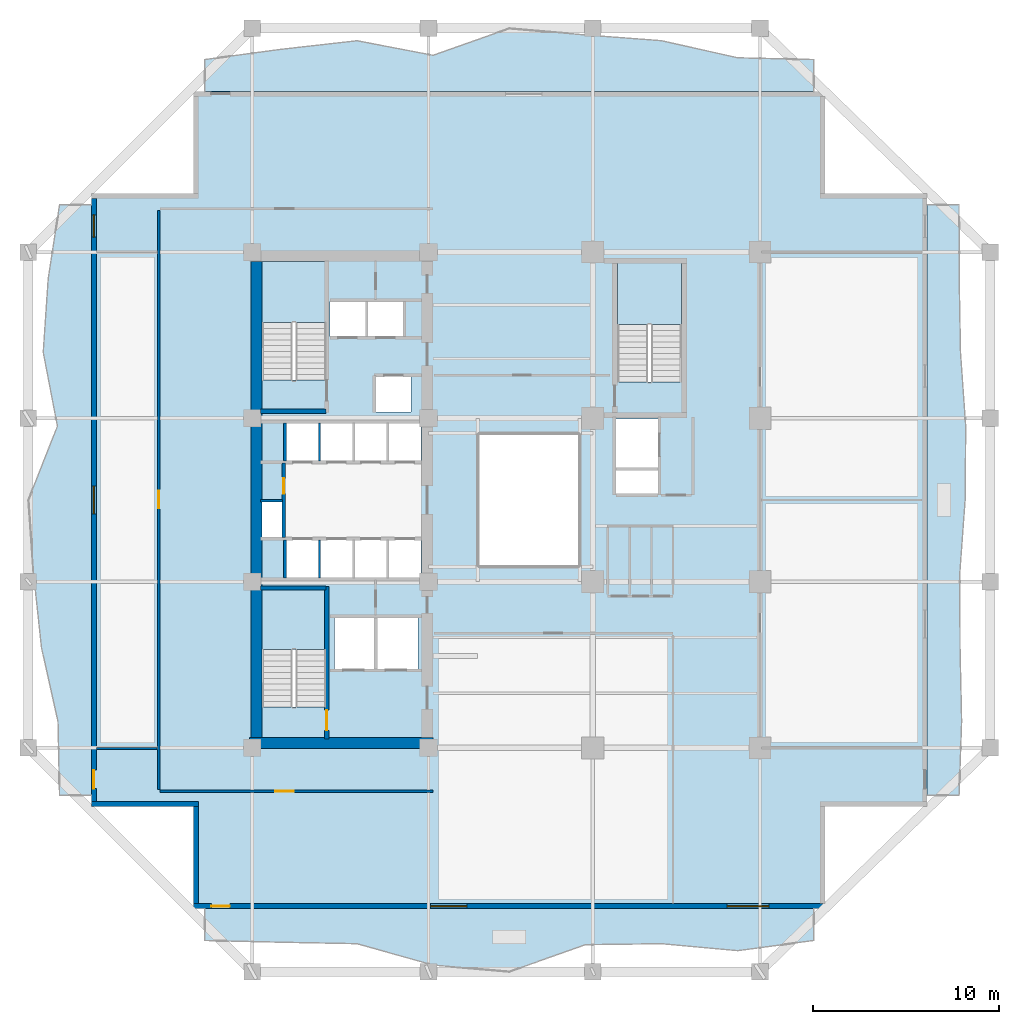
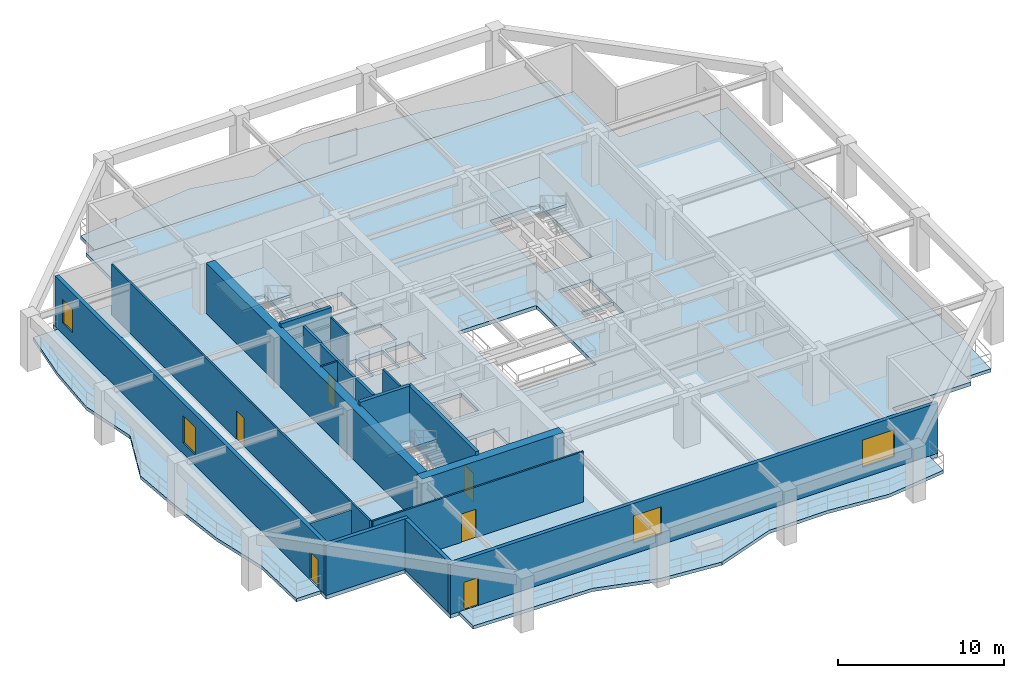
# One storey, part 2 of 13: 18 walls, 8 slabs, 6 doors, 4 windows, 10 openings, 3 elements without a shape of their own.
"""IFC4 building model written with IfcOpenShell, lengths in metres."""

from ifc_helpers import new_model, si_unit, direction, frame, frame_2d, origin, place, context, subcontext, project, spatial, polyline, rectangle, outline, extrude, material, layer, layer_set, type_object, element, fill, aggregate, save


model = new_model("IFC4")

# Units and contexts
model_context = context("Model", 3, precision=1e-05, world=origin(), true_north=direction((0.0, 1.0)))
body_context = subcontext(model_context, "Body", "Model", "MODEL_VIEW")
ifc_project = project(units=[si_unit("LENGTHUNIT", "METRE"), si_unit("AREAUNIT", "SQUARE_METRE"), si_unit("VOLUMEUNIT", "CUBIC_METRE"), si_unit("PLANEANGLEUNIT", "RADIAN"), si_unit("MASSUNIT", "GRAM", prefix="KILO")], contexts=[model_context])

# Site, building, storey
site_placement = place(None, origin())
site = spatial("IfcSite", under=ifc_project, at=site_placement, CompositionType="ELEMENT")
building_placement = place(site_placement, origin())
building = spatial("IfcBuilding", under=site, at=building_placement, Name="Kundavana Baori Tower", CompositionType="ELEMENT")
storey_placement = place(building_placement, frame((0.0, 0.0, 34.0)))
storey = spatial("IfcBuildingStorey", under=building, at=storey_placement, Name="L07", CompositionType="ELEMENT", Elevation=34.0)

# Slab
ifc_material_1 = material(Name="Concrete C40/50", Category="concrete")
ifc_layer_1 = layer(ifc_material_1, 0.280029296875, Name="SLB-FLR-280")
ifc_layer_set_1 = layer_set([ifc_layer_1], Name="Concrete C40/50")
slab_type_1 = type_object("IfcSlabType", Name="SLB-FLR-280", PredefinedType="FLOOR", material=ifc_layer_set_1)
slab_1_placement = place(storey_placement, frame((0.0, 0.0, -0.280029296875)))
element("IfcSlab", 1, at=slab_1_placement, inside=storey, type_object=slab_type_1, Name="L07 Structural Floor Slab", PredefinedType="FLOOR", context=body_context, shape_type="SweptSolid", body=[
    extrude(outline(polyline([(12.300048828125, 6.60009765625), (46.300048828125, 6.60009765625), (46.300048828125, 12.10009765625), (51.800048828125, 12.10009765625), (51.800048828125, 45.10009765625), (46.300048828125, 45.10009765625), (46.300048828125, 50.60009765625), (12.300048828125, 50.60009765625), (12.300048828125, 45.10009765625), (6.800048828125, 45.10009765625), (6.800048828125, 12.10009765625), (12.300048828125, 12.10009765625), (12.300048828125, 6.60009765625)]), holes=[polyline([(19.43994140625, 17.4619140625), (19.43994140625, 23.85009765625), (15.97998046875, 23.85009765625), (15.97998046875, 17.4619140625), (19.43994140625, 17.4619140625)]), polyline([(19.43994140625, 35.06201171875), (19.43994140625, 41.449951171875), (15.97998046875, 41.449951171875), (15.97998046875, 35.06201171875), (19.43994140625, 35.06201171875)]), polyline([(38.580078125, 34.9619140625), (38.580078125, 41.35009765625), (35.1201171875, 41.35009765625), (35.1201171875, 34.9619140625), (38.580078125, 34.9619140625)]), polyline([(17.300048828125, 24.39990234375), (19.02001953125, 24.39990234375), (19.02001953125, 26.449951171875), (17.300048828125, 26.449951171875), (17.300048828125, 24.39990234375)]), polyline([(19.139892578125, 24.39990234375), (20.860107421875, 24.39990234375), (20.860107421875, 26.449951171875), (19.139892578125, 26.449951171875), (19.139892578125, 24.39990234375)]), polyline([(20.97998046875, 24.39990234375), (22.699951171875, 24.39990234375), (22.699951171875, 26.449951171875), (20.97998046875, 26.449951171875), (20.97998046875, 24.39990234375)]), polyline([(22.820068359375, 24.39990234375), (24.5400390625, 24.39990234375), (24.5400390625, 26.449951171875), (22.820068359375, 26.449951171875), (22.820068359375, 24.39990234375)]), polyline([(17.300048828125, 30.699951171875), (19.02001953125, 30.699951171875), (19.02001953125, 32.75), (17.300048828125, 32.75), (17.300048828125, 30.699951171875)]), polyline([(19.139892578125, 30.699951171875), (20.860107421875, 30.699951171875), (20.860107421875, 32.75), (19.139892578125, 32.75), (19.139892578125, 30.699951171875)]), polyline([(20.97998046875, 30.699951171875), (22.699951171875, 30.699951171875), (22.699951171875, 32.75), (20.97998046875, 32.75), (20.97998046875, 30.699951171875)]), polyline([(22.820068359375, 30.699951171875), (24.5400390625, 30.699951171875), (24.5400390625, 32.75), (22.820068359375, 32.75), (22.820068359375, 30.699951171875)]), polyline([(19.64990234375, 37.39990234375), (21.550048828125, 37.39990234375), (21.550048828125, 39.300048828125), (19.64990234375, 39.300048828125), (19.64990234375, 37.39990234375)]), polyline([(21.699951171875, 37.39990234375), (23.60009765625, 37.39990234375), (23.60009765625, 39.300048828125), (21.699951171875, 39.300048828125), (21.699951171875, 37.39990234375)]), polyline([(22.10009765625, 33.35009765625), (24.0, 33.35009765625), (24.0, 35.25), (22.10009765625, 35.25), (22.10009765625, 33.35009765625)]), polyline([(19.8798828125, 19.5), (22.02001953125, 19.5), (22.02001953125, 22.25), (19.8798828125, 22.25), (19.8798828125, 19.5)]), polyline([(22.179931640625, 19.5), (24.3798828125, 19.5), (24.3798828125, 22.25), (22.179931640625, 22.25), (22.179931640625, 19.5)]), polyline([(35.050048828125, 30.35009765625), (37.300048828125, 30.35009765625), (37.300048828125, 32.949951171875), (35.050048828125, 32.949951171875), (35.050048828125, 30.35009765625)]), polyline([(15.949951171875, 26.60009765625), (17.080078125, 26.60009765625), (17.080078125, 28.5), (15.949951171875, 28.5), (15.949951171875, 26.60009765625)]), polyline([(35.050048828125, 28.949951171875), (37.300048828125, 28.949951171875), (37.300048828125, 30.199951171875), (35.050048828125, 30.199951171875), (35.050048828125, 28.949951171875)]), polyline([(27.60009765625, 25.0), (33.10009765625, 25.0), (33.10009765625, 32.199951171875), (27.60009765625, 32.199951171875), (27.60009765625, 25.0)])]), origin(), (0.0, 0.0, 1.0), 0.280029296875),
])

# Stair, slab
ifc_material_2 = material(Name="Concrete C40/50", Category="concrete")
stair_type = type_object("IfcStairType", Name="STR-DOG-1650", PredefinedType="HALF_TURN_STAIR", material=ifc_material_2)
stair_1_placement = place(storey_placement, origin())
stair_1 = element("IfcStair", 2, at=stair_1_placement, inside=storey, type_object=stair_type, Name="L07 Protected Exit Stair ST1", PredefinedType="HALF_TURN_STAIR")
ifc_material_3 = material(Name="Concrete C40/50", Category="concrete")
ifc_layer_2 = layer(ifc_material_3, 0.199951171875, Name="SLB-LND-200")
ifc_layer_set_2 = layer_set([ifc_layer_2], Name="Concrete C40/50")
slab_type_2 = type_object("IfcSlabType", Name="SLB-LND-200", PredefinedType="LANDING", material=ifc_layer_set_2)
slab_2_placement = place(storey_placement, frame((0.0, 0.0, 1.800048828125)))
slab_2 = element("IfcSlab", 3, at=slab_2_placement, type_object=slab_type_2, Name="ST1 landing 1", PredefinedType="LANDING", context=body_context, shape_type="SweptSolid", body=[
    extrude(outline(polyline([(19.43994140625, 20.550048828125), (19.43994140625, 23.85009765625), (15.97998046875, 23.85009765625), (15.97998046875, 20.550048828125), (19.43994140625, 20.550048828125)])), origin(), (0.0, 0.0, 1.0), 0.199951171875),
])
aggregate(stair_1, [slab_2])

stair_2_placement = place(storey_placement, origin())
stair_2 = element("IfcStair", 4, at=stair_2_placement, inside=storey, type_object=stair_type, Name="L07 Protected Exit Stair ST2", PredefinedType="HALF_TURN_STAIR")
slab_3_placement = place(storey_placement, frame((0.0, 0.0, 1.800048828125)))
slab_3 = element("IfcSlab", 5, at=slab_3_placement, type_object=slab_type_2, Name="ST2 landing 1", PredefinedType="LANDING", context=body_context, shape_type="SweptSolid", body=[
    extrude(outline(polyline([(19.43994140625, 38.14990234375), (19.43994140625, 41.449951171875), (15.97998046875, 41.449951171875), (15.97998046875, 38.14990234375), (19.43994140625, 38.14990234375)])), origin(), (0.0, 0.0, 1.0), 0.199951171875),
])
aggregate(stair_2, [slab_3])

stair_3_placement = place(storey_placement, origin())
stair_3 = element("IfcStair", 6, at=stair_3_placement, inside=storey, type_object=stair_type, Name="L07 Protected Exit Stair ST3", PredefinedType="HALF_TURN_STAIR")
slab_4_placement = place(storey_placement, frame((0.0, 0.0, 1.800048828125)))
slab_4 = element("IfcSlab", 7, at=slab_4_placement, type_object=slab_type_2, Name="ST3 landing 1", PredefinedType="LANDING", context=body_context, shape_type="SweptSolid", body=[
    extrude(outline(polyline([(38.580078125, 38.050048828125), (38.580078125, 41.35009765625), (35.1201171875, 41.35009765625), (35.1201171875, 38.050048828125), (38.580078125, 38.050048828125)])), origin(), (0.0, 0.0, 1.0), 0.199951171875),
])
aggregate(stair_3, [slab_4])

# Slabs
ifc_material_4 = material(Name="Concrete C40/50", Category="concrete")
ifc_layer_3 = layer(ifc_material_4, 0.239990234375, Name="SLB-LOG-240")
ifc_layer_set_3 = layer_set([ifc_layer_3], Name="Concrete C40/50")
slab_type_3 = type_object("IfcSlabType", Name="SLB-LOG-240", PredefinedType="FLOOR", material=ifc_layer_set_3)
slab_5_placement = place(storey_placement, frame((0.0, 0.0, -0.239990234375)))
element("IfcSlab", 8, at=slab_5_placement, inside=storey, type_object=slab_type_3, Name="L07 Planted Loggia Balcony Slab S", PredefinedType="FLOOR", context=body_context, shape_type="SweptSolid", body=[
    extrude(outline(polyline([(12.89990234375, 6.60009765625), (45.699951171875, 6.60009765625), (45.699951171875, 4.8798828125), (41.60009765625, 4.3310546875), (37.5, 4.7060546875), (33.39990234375, 4.653076171875), (29.300048828125, 3.199951171875), (25.199951171875, 3.554931640625), (21.10009765625, 4.7060546875), (17.0, 4.785888671875), (12.89990234375, 4.8798828125), (12.89990234375, 6.60009765625)])), origin(), (0.0, 0.0, 1.0), 0.239990234375),
])
slab_6_placement = place(storey_placement, frame((0.0, 0.0, -0.239990234375)))
element("IfcSlab", 9, at=slab_6_placement, inside=storey, type_object=slab_type_3, Name="L07 Planted Loggia Balcony Slab E", PredefinedType="FLOOR", context=body_context, shape_type="SweptSolid", body=[
    extrude(outline(polyline([(51.800048828125, 12.699951171875), (51.800048828125, 44.5), (53.52001953125, 44.5), (53.528076171875, 40.52490234375), (53.597900390625, 36.550048828125), (53.8798828125, 32.574951171875), (53.847900390625, 28.60009765625), (53.55908203125, 24.625), (53.573974609375, 20.64990234375), (53.659912109375, 16.675048828125), (53.52001953125, 12.699951171875), (51.800048828125, 12.699951171875)])), origin(), (0.0, 0.0, 1.0), 0.239990234375),
])
slab_7_placement = place(storey_placement, frame((0.0, 0.0, -0.239990234375)))
element("IfcSlab", 10, at=slab_7_placement, inside=storey, type_object=slab_type_3, Name="L07 Planted Loggia Balcony Slab N", PredefinedType="FLOOR", context=body_context, shape_type="SweptSolid", body=[
    extrude(outline(polyline([(45.699951171875, 50.60009765625), (12.89990234375, 50.60009765625), (12.89990234375, 52.320068359375), (17.0, 52.868896484375), (21.10009765625, 53.333984375), (25.199951171875, 52.547119140625), (29.300048828125, 54.0), (33.39990234375, 53.64501953125), (37.5, 53.333984375), (41.60009765625, 52.4140625), (45.699951171875, 52.320068359375), (45.699951171875, 50.60009765625)])), origin(), (0.0, 0.0, 1.0), 0.239990234375),
])
slab_8_placement = place(storey_placement, frame((0.0, 0.0, -0.239990234375)))
element("IfcSlab", 11, at=slab_8_placement, inside=storey, type_object=slab_type_3, Name="L07 Planted Loggia Balcony Slab W", PredefinedType="FLOOR", context=body_context, shape_type="SweptSolid", body=[
    extrude(outline(polyline([(6.800048828125, 44.5), (6.800048828125, 12.699951171875), (5.080078125, 12.699951171875), (4.99609375, 16.675048828125), (4.10791015625, 20.64990234375), (3.681884765625, 24.625), (3.39990234375, 28.60009765625), (4.967041015625, 32.574951171875), (4.201904296875, 36.550048828125), (4.468994140625, 40.52490234375), (5.080078125, 44.5), (6.800048828125, 44.5)])), origin(), (0.0, 0.0, 1.0), 0.239990234375),
])

# Wall, opening, door
ifc_material_5 = material(Name="Concrete C50/60", Category="concrete")
ifc_layer_4 = layer(ifc_material_5, 0.39990234375, Name="WL-CORE-400")
ifc_layer_set_4 = layer_set([ifc_layer_4], Name="Concrete C50/60")
wall_type_1 = type_object("IfcWallType", Name="WL-CORE-400", PredefinedType="SHEAR", material=ifc_layer_set_4)
wall_1_placement = place(storey_placement, frame((19.4599609375, 15.739990234375, 0.0), z_axis=(0.0, 0.0, 1.0), x_axis=(0.0, 1.0, 0.0)))
wall_1 = element("IfcWall", 12, at=wall_1_placement, inside=storey, type_object=wall_type_1, Name="WL-L07-ST1-E", PredefinedType="SHEAR", context=body_context, shape_type="SweptSolid", body=[
    extrude(rectangle(XDim=8.199951171875, YDim=0.239990234375, at=frame_2d((4.10009765625, 0.0))), origin(), (0.0, 0.0, 1.0), 4.0),
])
opening_1_placement = place(wall_1_placement, frame((0.449951171875, 0.0, 0.0)))
opening_1 = element("IfcOpeningElement", 13, at=opening_1_placement, cuts=wall_1, Name="Opening FD-110", PredefinedType="OPENING", context=body_context, shape_type="SweptSolid", body=[
    extrude(rectangle(XDim=1.10009765625, YDim=2.10009765625, at=frame_2d((0.550048828125, 1.050048828125))), frame((0.0, 0.1298828125, 0.0), z_axis=(0.0, -1.0, 0.0), x_axis=(1.0, 0.0, 0.0)), (0.0, 0.0, 1.0), 0.260009765625),
])
ifc_material_6 = material(Name="Galvanised Steel Fire-Rated Door Leaf", Category="steel")
door_type_1 = type_object("IfcDoorType", Name="DR-FD120-1100", OperationType="NOTDEFINED", PredefinedType="DOOR", material=ifc_material_6)
door_1_placement = place(opening_1_placement, origin())
door_1 = element("IfcDoor", 14, at=door_1_placement, inside=storey, type_object=door_type_1, Name="DR-L07-ST1", OperationType="SINGLE_SWING_LEFT", OverallHeight=2.10009765625, OverallWidth=1.10009765625, PredefinedType="DOOR", context=body_context, shape_type="SweptSolid", body=[
    extrude(rectangle(XDim=1.10009765625, YDim=2.10009765625, at=frame_2d((0.550048828125, 1.050048828125))), frame((0.0, 0.02490234375, 0.0), z_axis=(0.0, -1.0, 0.0), x_axis=(1.0, 0.0, 0.0)), (0.0, 0.0, 1.0), 0.050048828125),
])
fill(opening_1, door_1)

# Walls
for number, where, z_axis, x_axis, name in (
    (15, (15.89990234375, 23.860107421875, 0.0), (0.0, 0.0, 1.0), (1.0, 0.0, 0.0), "WL-L07-ST1-N"),
    (16, (15.89990234375, 33.389892578125, 0.0), (0.0, 0.0, 1.0), (1.0, 0.0, 0.0), "WL-L07-ST2-S"),
):
    element("IfcWall", number, at=place(storey_placement, frame(where, z_axis=z_axis, x_axis=x_axis)), inside=storey, type_object=wall_type_1, Name=name, PredefinedType="SHEAR", context=body_context, shape_type="SweptSolid", body=[
        extrude(rectangle(XDim=3.52001953125, YDim=0.239990234375, at=frame_2d((1.760009765625, 0.0))), origin(), (0.0, 0.0, 1.0), 4.0),
    ])
ifc_material_7 = material(Name="Concrete C60/75", Category="concrete")
ifc_layer_5 = layer(ifc_material_7, 0.60009765625, Name="WL-CORE-600")
ifc_layer_set_5 = layer_set([ifc_layer_5], Name="Concrete C60/75")
wall_type_2 = type_object("IfcWallType", Name="WL-CORE-600", PredefinedType="SHEAR", material=ifc_layer_set_5)
wall_2_placement = place(storey_placement, frame((15.300048828125, 15.510009765625, 0.0), z_axis=(0.0, 0.0, 1.0), x_axis=(1.0, 0.0, 0.0)))
element("IfcWall", 17, at=wall_2_placement, inside=storey, type_object=wall_type_2, Name="L07 Offset Core South Shear Wall", PredefinedType="SHEAR", context=body_context, shape_type="SweptSolid", body=[
    extrude(rectangle(XDim=9.8798828125, YDim=0.60009765625, at=frame_2d((4.93994140625, 0.0))), origin(), (0.0, 0.0, 1.0), 3.719970703125),
])
wall_3_placement = place(storey_placement, frame((15.68994140625, 15.81005859375, 0.0), z_axis=(0.0, 0.0, 1.0), x_axis=(0.0, 1.0, 0.0)))
element("IfcWall", 18, at=wall_3_placement, inside=storey, type_object=wall_type_2, Name="L07 Offset Core West Shear Wall", PredefinedType="SHEAR", context=body_context, shape_type="SweptSolid", body=[
    extrude(rectangle(XDim=25.6298828125, YDim=0.60009765625, at=frame_2d((12.81494140625, 0.0))), origin(), (0.0, 0.0, 1.0), 3.719970703125),
])

# Wall, openings, door, windows
ifc_material_8 = material(Name="Kiln-Fired Terracotta Brick-Slip Masonry on Concrete C40/50", Category="masonry")
ifc_layer_6 = layer(ifc_material_8, 0.260009765625, Name="WL-EXT-BRK-260")
ifc_layer_set_6 = layer_set([ifc_layer_6], Name="Kiln-Fired Terracotta Brick-Slip Masonry on Concrete C40/50")
wall_type_3 = type_object("IfcWallType", Name="WL-EXT-BRK-260", PredefinedType="SOLIDWALL", material=ifc_layer_set_6)
wall_4_placement = place(storey_placement, frame((12.300048828125, 6.72998046875, 0.0), z_axis=(0.0, 0.0, 1.0), x_axis=(1.0, 0.0, 0.0)))
wall_4 = element("IfcWall", 19, at=wall_4_placement, inside=storey, type_object=wall_type_3, Name="L07 Exterior Insulated Facade Wall 01", PredefinedType="SOLIDWALL", context=body_context, shape_type="SweptSolid", body=[
    extrude(rectangle(XDim=34.0, YDim=0.260009765625, at=frame_2d((17.0, 0.0))), origin(), (0.0, 0.0, 1.0), 3.719970703125),
])
opening_2_placement = place(wall_4_placement, frame((0.949951171875, 0.0, 0.0)))
opening_2 = element("IfcOpeningElement", 20, at=opening_2_placement, cuts=wall_4, Name="Opening BD-1", PredefinedType="OPENING", context=body_context, shape_type="SweptSolid", body=[
    extrude(rectangle(XDim=1.0, YDim=2.050048828125, at=frame_2d((0.5, 1.02490234375))), frame((0.0, 0.14013671875, 0.0), z_axis=(0.0, -1.0, 0.0), x_axis=(1.0, 0.0, 0.0)), (0.0, 0.0, 1.0), 0.280029296875),
])
opening_3_placement = place(wall_4_placement, frame((12.764892578125, 0.0, 0.800048828125)))
opening_3 = element("IfcOpeningElement", 21, at=opening_3_placement, cuts=wall_4, Name="Opening W-09", PredefinedType="OPENING", context=body_context, shape_type="SweptSolid", body=[
    extrude(rectangle(XDim=1.949951171875, YDim=2.0, at=frame_2d((0.97509765625, 1.0))), frame((0.0, 0.14013671875, 0.0), z_axis=(0.0, -1.0, 0.0), x_axis=(1.0, 0.0, 0.0)), (0.0, 0.0, 1.0), 0.280029296875),
])
opening_4_placement = place(wall_4_placement, frame((28.72998046875, 0.0, 0.800048828125)))
opening_4 = element("IfcOpeningElement", 22, at=opening_4_placement, cuts=wall_4, Name="Opening W-10", PredefinedType="OPENING", context=body_context, shape_type="SweptSolid", body=[
    extrude(rectangle(XDim=2.25, YDim=2.0, at=frame_2d((1.125, 1.0))), frame((0.0, 0.14013671875, 0.0), z_axis=(0.0, -1.0, 0.0), x_axis=(1.0, 0.0, 0.0)), (0.0, 0.0, 1.0), 0.280029296875),
])
ifc_material_9 = material(Name="Architectural Patinated Bronze Metalwork")
door_type_2 = type_object("IfcDoorType", Name="DR-EXT-LOG-1000", OperationType="NOTDEFINED", PredefinedType="DOOR", material=ifc_material_9)
door_2_placement = place(opening_2_placement, frame((1.0, 0.0, 0.0), z_axis=(0.0, 0.0, 1.0), x_axis=(-1.0, 0.0, 0.0)))
door_2 = element("IfcDoor", 23, at=door_2_placement, inside=storey, type_object=door_type_2, Name="L07 Loggia Balcony Access Door S", OperationType="SINGLE_SWING_LEFT", OverallHeight=2.050048828125, OverallWidth=1.0, PredefinedType="DOOR", context=body_context, shape_type="SweptSolid", body=[
    extrude(rectangle(XDim=1.0, YDim=2.050048828125, at=frame_2d((0.5, 1.02490234375))), frame((0.0, 0.02490234375, 0.0), z_axis=(0.0, -1.0, 0.0), x_axis=(1.0, 0.0, 0.0)), (0.0, 0.0, 1.0), 0.050048828125),
])
fill(opening_2, door_2)
ifc_material_10 = material(Name="Double-Glazed Solar-Control Low-E Insulated Glass", Category="glass")
window_type_1 = type_object("IfcWindowType", Name="WIN-LOG-1950x2000", PartitioningType="SINGLE_PANEL", PredefinedType="WINDOW", material=ifc_material_10)
window_1_placement = place(opening_3_placement, origin())
window_1 = element("IfcWindow", 24, at=window_1_placement, inside=storey, type_object=window_type_1, Name="L07 Recessed Loggia Window S-1", OverallHeight=2.0, OverallWidth=1.949951171875, PartitioningType="SINGLE_PANEL", PredefinedType="WINDOW", context=body_context, shape_type="SweptSolid", body=[
    extrude(rectangle(XDim=1.949951171875, YDim=2.0, at=frame_2d((0.97509765625, 1.0))), frame((0.0, 0.030029296875, 0.0), z_axis=(0.0, -1.0, 0.0), x_axis=(1.0, 0.0, 0.0)), (0.0, 0.0, 1.0), 0.06005859375),
])
fill(opening_3, window_1)
ifc_material_11 = material(Name="Double-Glazed Solar-Control Low-E Insulated Glass", Category="glass")
window_type_2 = type_object("IfcWindowType", Name="WIN-LOG-2250x2000", PartitioningType="SINGLE_PANEL", PredefinedType="WINDOW", material=ifc_material_11)
window_2_placement = place(opening_4_placement, origin())
window_2 = element("IfcWindow", 25, at=window_2_placement, inside=storey, type_object=window_type_2, Name="L07 Recessed Loggia Window S-2", OverallHeight=2.0, OverallWidth=2.25, PartitioningType="SINGLE_PANEL", PredefinedType="WINDOW", context=body_context, shape_type="SweptSolid", body=[
    extrude(rectangle(XDim=2.25, YDim=2.0, at=frame_2d((1.125, 1.0))), frame((0.0, 0.030029296875, 0.0), z_axis=(0.0, -1.0, 0.0), x_axis=(1.0, 0.0, 0.0)), (0.0, 0.0, 1.0), 0.06005859375),
])
fill(opening_4, window_2)

wall_5_placement = place(storey_placement, frame((6.929931640625, 44.840087890625, 0.0), z_axis=(0.0, 0.0, 1.0), x_axis=(0.0, -1.0, 0.0)))
wall_5 = element("IfcWall", 26, at=wall_5_placement, inside=storey, type_object=wall_type_3, Name="L07 Exterior Insulated Facade Wall 10", PredefinedType="SOLIDWALL", context=body_context, shape_type="SweptSolid", body=[
    extrude(rectangle(XDim=32.47998046875, YDim=0.260009765625, at=frame_2d((16.239990234375, 0.0))), origin(), (0.0, 0.0, 1.0), 3.719970703125),
])
opening_5_placement = place(wall_5_placement, frame((30.7900390625, 0.0, 0.0)))
opening_5 = element("IfcOpeningElement", 27, at=opening_5_placement, cuts=wall_5, Name="Opening BD-1", PredefinedType="OPENING", context=body_context, shape_type="SweptSolid", body=[
    extrude(rectangle(XDim=1.0, YDim=2.050048828125, at=frame_2d((0.5, 1.02490234375))), frame((0.0, 0.14013671875, 0.0), z_axis=(0.0, -1.0, 0.0), x_axis=(1.0, 0.0, 0.0)), (0.0, 0.0, 1.0), 0.280029296875),
])
opening_6_placement = place(wall_5_placement, frame((15.489990234375, 0.0, 0.800048828125)))
opening_6 = element("IfcOpeningElement", 28, at=opening_6_placement, cuts=wall_5, Name="Opening W-02", PredefinedType="OPENING", context=body_context, shape_type="SweptSolid", body=[
    extrude(rectangle(XDim=1.5, YDim=2.0, at=frame_2d((0.75, 1.0))), frame((0.0, 0.14013671875, 0.0), z_axis=(0.0, -1.0, 0.0), x_axis=(1.0, 0.0, 0.0)), (0.0, 0.0, 1.0), 0.280029296875),
])
opening_7_placement = place(wall_5_placement, frame((0.885009765625, 0.0, 0.800048828125)))
opening_7 = element("IfcOpeningElement", 29, at=opening_7_placement, cuts=wall_5, Name="Opening W-03", PredefinedType="OPENING", context=body_context, shape_type="SweptSolid", body=[
    extrude(rectangle(XDim=1.199951171875, YDim=1.75, at=frame_2d((0.60009765625, 0.875))), frame((0.0, 0.14013671875, 0.0), z_axis=(0.0, -1.0, 0.0), x_axis=(1.0, 0.0, 0.0)), (0.0, 0.0, 1.0), 0.280029296875),
])
door_3_placement = place(opening_5_placement, frame((1.0, 0.0, 0.0), z_axis=(0.0, 0.0, 1.0), x_axis=(-1.0, 0.0, 0.0)))
door_3 = element("IfcDoor", 30, at=door_3_placement, inside=storey, type_object=door_type_2, Name="L07 Loggia Balcony Access Door W", OperationType="SINGLE_SWING_RIGHT", OverallHeight=2.050048828125, OverallWidth=1.0, PredefinedType="DOOR", context=body_context, shape_type="SweptSolid", body=[
    extrude(rectangle(XDim=1.0, YDim=2.050048828125, at=frame_2d((0.5, 1.02490234375))), frame((0.0, 0.02490234375, 0.0), z_axis=(0.0, -1.0, 0.0), x_axis=(1.0, 0.0, 0.0)), (0.0, 0.0, 1.0), 0.050048828125),
])
fill(opening_5, door_3)
ifc_material_12 = material(Name="Double-Glazed Solar-Control Low-E Insulated Glass", Category="glass")
window_type_3 = type_object("IfcWindowType", Name="WIN-LOG-1200x1750", PartitioningType="SINGLE_PANEL", PredefinedType="WINDOW", material=ifc_material_12)
window_3_placement = place(opening_7_placement, origin())
window_3 = element("IfcWindow", 31, at=window_3_placement, inside=storey, type_object=window_type_3, Name="L07 Recessed Loggia Window W-3", OverallHeight=1.75, OverallWidth=1.199951171875, PartitioningType="SINGLE_PANEL", PredefinedType="WINDOW", context=body_context, shape_type="SweptSolid", body=[
    extrude(rectangle(XDim=1.199951171875, YDim=1.75, at=frame_2d((0.60009765625, 0.875))), frame((0.0, 0.030029296875, 0.0), z_axis=(0.0, -1.0, 0.0), x_axis=(1.0, 0.0, 0.0)), (0.0, 0.0, 1.0), 0.06005859375),
])
fill(opening_7, window_3)
ifc_material_13 = material(Name="Double-Glazed Solar-Control Low-E Insulated Glass", Category="glass")
window_type_4 = type_object("IfcWindowType", Name="WIN-LOG-1500x2000", PartitioningType="SINGLE_PANEL", PredefinedType="WINDOW", material=ifc_material_13)
window_4_placement = place(opening_6_placement, origin())
window_4 = element("IfcWindow", 32, at=window_4_placement, inside=storey, type_object=window_type_4, Name="L07 Recessed Loggia Window W-2", OverallHeight=2.0, OverallWidth=1.5, PartitioningType="SINGLE_PANEL", PredefinedType="WINDOW", context=body_context, shape_type="SweptSolid", body=[
    extrude(rectangle(XDim=1.5, YDim=2.0, at=frame_2d((0.75, 1.0))), frame((0.0, 0.030029296875, 0.0), z_axis=(0.0, -1.0, 0.0), x_axis=(1.0, 0.0, 0.0)), (0.0, 0.0, 1.0), 0.06005859375),
])
fill(opening_6, window_4)

# Walls
wall_6_placement = place(storey_placement, frame((6.800048828125, 12.22998046875, 0.0), z_axis=(0.0, 0.0, 1.0), x_axis=(1.0, 0.0, 0.0)))
element("IfcWall", 33, at=wall_6_placement, inside=storey, type_object=wall_type_3, Name="L07 Exterior Insulated Facade Wall 11", PredefinedType="SOLIDWALL", context=body_context, shape_type="SweptSolid", body=[
    extrude(rectangle(XDim=5.760009765625, YDim=0.260009765625, at=frame_2d((2.8798828125, 0.0))), origin(), (0.0, 0.0, 1.0), 3.719970703125),
])
wall_7_placement = place(storey_placement, frame((12.429931640625, 12.10009765625, 0.0), z_axis=(0.0, 0.0, 1.0), x_axis=(0.0, -1.0, 0.0)))
element("IfcWall", 34, at=wall_7_placement, inside=storey, type_object=wall_type_3, Name="L07 Exterior Insulated Facade Wall 12", PredefinedType="SOLIDWALL", context=body_context, shape_type="SweptSolid", body=[
    extrude(rectangle(XDim=5.239990234375, YDim=0.260009765625, at=frame_2d((2.6201171875, 0.0))), origin(), (0.0, 0.0, 1.0), 3.719970703125),
])
ifc_material_14 = material(Name="Acoustic Gypsum Plasterboard on Galvanised Steel Studs", Category="steel")
ifc_layer_7 = layer(ifc_material_14, 0.1201171875, Name="WL-PART-120")
ifc_layer_set_7 = layer_set([ifc_layer_7], Name="Acoustic Gypsum Plasterboard on Galvanised Steel Studs")
wall_type_4 = type_object("IfcWallType", Name="WL-PART-120", PredefinedType="PARTITIONING", material=ifc_layer_set_7)
wall_8_placement = place(storey_placement, frame((19.080078125, 24.39990234375, 0.0), z_axis=(0.0, 0.0, 1.0), x_axis=(0.0, 1.0, 0.0)))
element("IfcWall", 35, at=wall_8_placement, inside=storey, type_object=wall_type_4, Name="WL-L07-LPLOW-D1", PredefinedType="PARTITIONING", context=body_context, shape_type="SweptSolid", body=[
    extrude(rectangle(XDim=2.050048828125, YDim=0.1201171875, at=frame_2d((1.02490234375, 0.0))), origin(), (0.0, 0.0, 1.0), 3.719970703125),
])
wall_9_placement = place(storey_placement, frame((15.89990234375, 28.56005859375, 0.0), z_axis=(0.0, 0.0, 1.0), x_axis=(1.0, 0.0, 0.0)))
element("IfcWall", 36, at=wall_9_placement, inside=storey, type_object=wall_type_4, Name="WL-L07-RSRW-N", PredefinedType="PARTITIONING", context=body_context, shape_type="SweptSolid", body=[
    extrude(rectangle(XDim=1.2001953125, YDim=0.1201171875, at=frame_2d((0.60009765625, 0.0))), origin(), (0.0, 0.0, 1.0), 3.719970703125),
])
wall_10_placement = place(storey_placement, frame((19.080078125, 30.699951171875, 0.0), z_axis=(0.0, 0.0, 1.0), x_axis=(0.0, 1.0, 0.0)))
element("IfcWall", 37, at=wall_10_placement, inside=storey, type_object=wall_type_4, Name="WL-L07-LPMID-D1", PredefinedType="PARTITIONING", context=body_context, shape_type="SweptSolid", body=[
    extrude(rectangle(XDim=2.050048828125, YDim=0.1201171875, at=frame_2d((1.02490234375, 0.0))), origin(), (0.0, 0.0, 1.0), 3.719970703125),
])

# Wall, opening, door
wall_11_placement = place(storey_placement, frame((10.419921875, 13.0, 0.0), z_axis=(0.0, 0.0, 1.0), x_axis=(0.0, 1.0, 0.0)))
wall_11 = element("IfcWall", 38, at=wall_11_placement, inside=storey, type_object=wall_type_4, Name="WL-L07-OW", PredefinedType="PARTITIONING", context=body_context, shape_type="SweptSolid", body=[
    extrude(rectangle(XDim=31.199951171875, YDim=0.1201171875, at=frame_2d((15.60009765625, 0.0))), origin(), (0.0, 0.0, 1.0), 3.719970703125),
])
opening_8_placement = place(wall_11_placement, frame((15.14990234375, 0.0, 0.0)))
opening_8 = element("IfcOpeningElement", 39, at=opening_8_placement, cuts=wall_11, Name="Opening ID-095", PredefinedType="OPENING", context=body_context, shape_type="SweptSolid", body=[
    extrude(rectangle(XDim=0.949951171875, YDim=2.080078125, at=frame_2d((0.47509765625, 1.0400390625))), frame((0.0, 0.070068359375, 0.0), z_axis=(0.0, -1.0, 0.0), x_axis=(1.0, 0.0, 0.0)), (0.0, 0.0, 1.0), 0.14013671875),
])
ifc_material_15 = material(Name="Engineered Teak Solid-Core Timber Veneer", Category="wood")
door_type_3 = type_object("IfcDoorType", Name="DR-INT-950", OperationType="NOTDEFINED", PredefinedType="DOOR", material=ifc_material_15)
door_4_placement = place(opening_8_placement, frame((0.949951171875, 0.0, 0.0), z_axis=(0.0, 0.0, 1.0), x_axis=(-1.0, 0.0, 0.0)))
door_4 = element("IfcDoor", 40, at=door_4_placement, inside=storey, type_object=door_type_3, Name="DR-L07-OFW1", OperationType="SINGLE_SWING_LEFT", OverallHeight=2.080078125, OverallWidth=0.949951171875, PredefinedType="DOOR", context=body_context, shape_type="SweptSolid", body=[
    extrude(rectangle(XDim=0.949951171875, YDim=2.080078125, at=frame_2d((0.47509765625, 1.0400390625))), frame((0.0, 0.02490234375, 0.0), z_axis=(0.0, -1.0, 0.0), x_axis=(1.0, 0.0, 0.0)), (0.0, 0.0, 1.0), 0.050048828125),
])
fill(opening_8, door_4)

# Wall
wall_12_placement = place(storey_placement, frame((7.080078125, 15.219970703125, 0.0), z_axis=(0.0, 0.0, 1.0), x_axis=(1.0, 0.0, 0.0)))
element("IfcWall", 41, at=wall_12_placement, inside=storey, type_object=wall_type_4, Name="WL-L07-OWS", PredefinedType="PARTITIONING", context=body_context, shape_type="SweptSolid", body=[
    extrude(rectangle(XDim=3.260009765625, YDim=0.1201171875, at=frame_2d((1.6298828125, 0.0))), origin(), (0.0, 0.0, 1.0), 3.219970703125),
])

# Wall, opening, door
wall_13_placement = place(storey_placement, frame((10.5, 12.919921875, 0.0), z_axis=(0.0, 0.0, 1.0), x_axis=(1.0, 0.0, 0.0)))
wall_13 = element("IfcWall", 42, at=wall_13_placement, inside=storey, type_object=wall_type_4, Name="WL-L07-OSC", PredefinedType="PARTITIONING", context=body_context, shape_type="SweptSolid", body=[
    extrude(rectangle(XDim=14.699951171875, YDim=0.1201171875, at=frame_2d((7.35009765625, 0.0))), origin(), (0.0, 0.0, 1.0), 3.719970703125),
])
opening_9_placement = place(wall_13_placement, frame((6.199951171875, 0.0, 0.0)))
opening_9 = element("IfcOpeningElement", 43, at=opening_9_placement, cuts=wall_13, Name="Opening ID-100", PredefinedType="OPENING", context=body_context, shape_type="SweptSolid", body=[
    extrude(rectangle(XDim=1.0, YDim=2.080078125, at=frame_2d((0.5, 1.0400390625))), frame((0.0, 0.070068359375, 0.0), z_axis=(0.0, -1.0, 0.0), x_axis=(1.0, 0.0, 0.0)), (0.0, 0.0, 1.0), 0.14013671875),
])
ifc_material_16 = material(Name="Engineered Teak Solid-Core Timber Veneer", Category="wood")
door_type_4 = type_object("IfcDoorType", Name="DR-INT-1000", OperationType="NOTDEFINED", PredefinedType="DOOR", material=ifc_material_16)
door_5_placement = place(opening_9_placement, frame((1.0, 0.0, 0.0), z_axis=(0.0, 0.0, 1.0), x_axis=(-1.0, 0.0, 0.0)))
door_5 = element("IfcDoor", 44, at=door_5_placement, inside=storey, type_object=door_type_4, Name="DR-L07-OSWC", OperationType="SINGLE_SWING_LEFT", OverallHeight=2.080078125, OverallWidth=1.0, PredefinedType="DOOR", context=body_context, shape_type="SweptSolid", body=[
    extrude(rectangle(XDim=1.0, YDim=2.080078125, at=frame_2d((0.5, 1.0400390625))), frame((0.0, 0.02490234375, 0.0), z_axis=(0.0, -1.0, 0.0), x_axis=(1.0, 0.0, 0.0)), (0.0, 0.0, 1.0), 0.050048828125),
])
fill(opening_9, door_5)

# Wall
ifc_material_17 = material(Name="Autoclaved Aerated Concrete Blockwork Masonry", Category="masonry")
ifc_layer_8 = layer(ifc_material_17, 0.179931640625, Name="WL-SHAFT-180")
ifc_layer_set_8 = layer_set([ifc_layer_8], Name="Autoclaved Aerated Concrete Blockwork Masonry")
wall_type_5 = type_object("IfcWallType", Name="WL-SHAFT-180", PredefinedType="SOLIDWALL", material=ifc_layer_set_8)
wall_14_placement = place(storey_placement, frame((17.219970703125, 24.39990234375, 0.0), z_axis=(0.0, 0.0, 1.0), x_axis=(0.0, 1.0, 0.0)))
element("IfcWall", 45, at=wall_14_placement, inside=storey, type_object=wall_type_5, Name="WL-L07-LPLOW-W", PredefinedType="SOLIDWALL", context=body_context, shape_type="SweptSolid", body=[
    extrude(rectangle(XDim=2.050048828125, YDim=0.179931640625, at=frame_2d((1.02490234375, 0.0))), origin(), (0.0, 0.0, 1.0), 3.719970703125),
])

# Wall, opening, door
wall_15_placement = place(storey_placement, frame((17.159912109375, 26.580078125, 0.0), z_axis=(0.0, 0.0, 1.0), x_axis=(0.0, 1.0, 0.0)))
wall_15 = element("IfcWall", 46, at=wall_15_placement, inside=storey, type_object=wall_type_5, Name="WL-L07-RSRW-E", PredefinedType="SOLIDWALL", context=body_context, shape_type="SweptSolid", body=[
    extrude(rectangle(XDim=4.02001953125, YDim=0.179931640625, at=frame_2d((2.010009765625, 0.0))), origin(), (0.0, 0.0, 1.0), 3.719970703125),
])
opening_10_placement = place(wall_15_placement, frame((2.35009765625, 0.0, 0.0)))
opening_10 = element("IfcOpeningElement", 47, at=opening_10_placement, cuts=wall_15, Name="Opening FD-085", PredefinedType="OPENING", context=body_context, shape_type="SweptSolid", body=[
    extrude(rectangle(XDim=0.85009765625, YDim=2.06005859375, at=frame_2d((0.425048828125, 1.030029296875))), frame((0.0, 0.10009765625, 0.0), z_axis=(0.0, -1.0, 0.0), x_axis=(1.0, 0.0, 0.0)), (0.0, 0.0, 1.0), 0.199951171875),
])
ifc_material_18 = material(Name="Galvanised Steel Fire-Rated Door Leaf", Category="steel")
door_type_5 = type_object("IfcDoorType", Name="DR-FD60-850", OperationType="NOTDEFINED", PredefinedType="DOOR", material=ifc_material_18)
door_6_placement = place(opening_10_placement, origin())
door_6 = element("IfcDoor", 48, at=door_6_placement, inside=storey, type_object=door_type_5, Name="DR-L07-CLN", OperationType="SINGLE_SWING_RIGHT", OverallHeight=2.06005859375, OverallWidth=0.85009765625, PredefinedType="DOOR", context=body_context, shape_type="SweptSolid", body=[
    extrude(rectangle(XDim=0.85009765625, YDim=2.06005859375, at=frame_2d((0.425048828125, 1.030029296875))), frame((0.0, 0.02490234375, 0.0), z_axis=(0.0, -1.0, 0.0), x_axis=(1.0, 0.0, 0.0)), (0.0, 0.0, 1.0), 0.050048828125),
])
fill(opening_10, door_6)

# Wall
wall_16_placement = place(storey_placement, frame((17.219970703125, 30.699951171875, 0.0), z_axis=(0.0, 0.0, 1.0), x_axis=(0.0, 1.0, 0.0)))
element("IfcWall", 49, at=wall_16_placement, inside=storey, type_object=wall_type_5, Name="WL-L07-LPMID-W", PredefinedType="SOLIDWALL", context=body_context, shape_type="SweptSolid", body=[
    extrude(rectangle(XDim=2.050048828125, YDim=0.179931640625, at=frame_2d((1.02490234375, 0.0))), origin(), (0.0, 0.0, 1.0), 3.719970703125),
])

save(model, "model.ifc")
